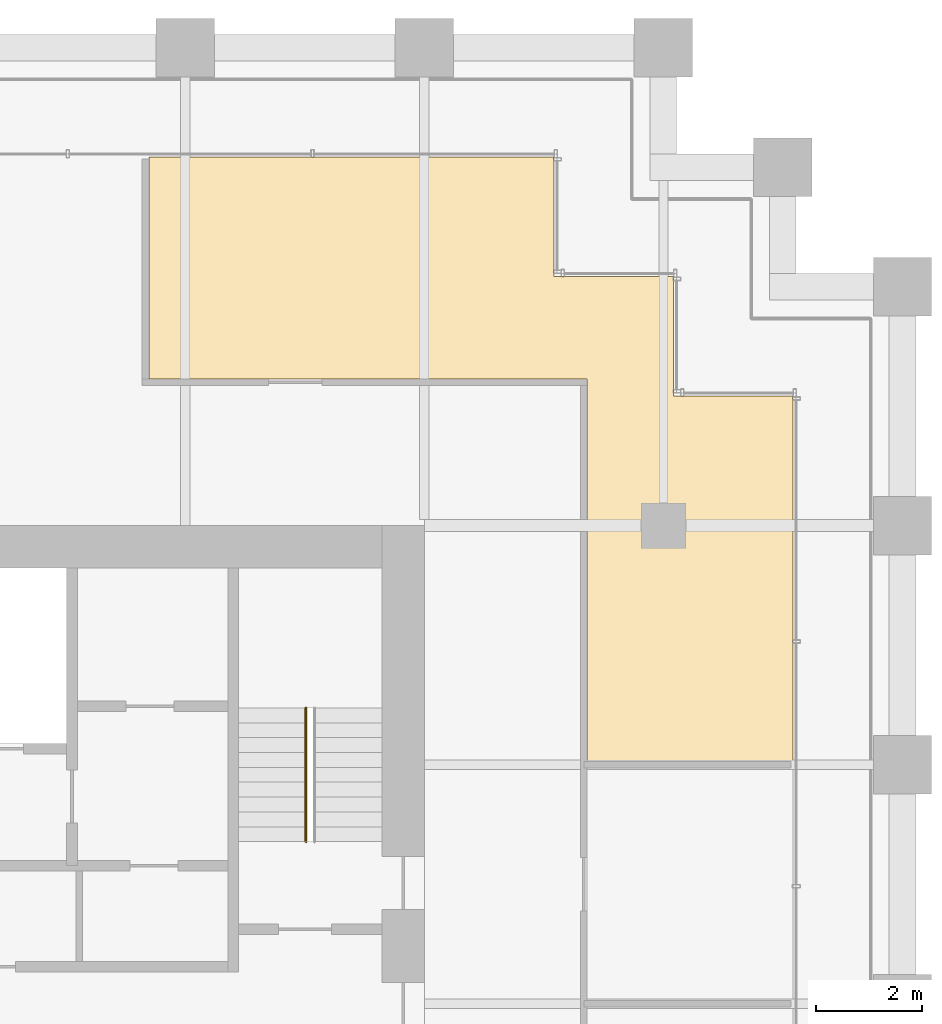
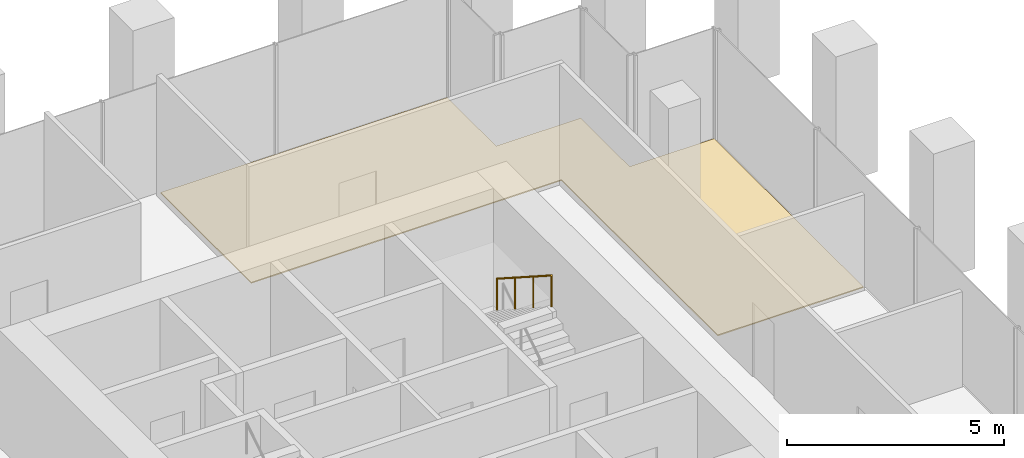
# One storey, part 56 of 56: 1 covering, 1 railing.
"""IFC4 building model written with IfcOpenShell, lengths in metres."""

import ifcopenshell
import ifcopenshell.guid

model = None  # the IFC model being written
_history = None  # IfcOwnerHistory: only IFC2X3 demands one
_inside = {}  # id of a spatial element -> (the spatial element, [elements in it])
_under = {}  # id of a project, library or spatial element -> (it, [spatial elements below it])
_declared = {}  # id of a project -> (the project, [libraries it declares])
_typed = {}  # id of a type object -> (the type object, [elements of that type])
_made_of = {}  # id of a material, layer set ... -> (it, [elements and type objects made of it])


def new_model(schema):
    """Start an empty IFC model of exactly this schema.

    Asked for "IFC4X3", IfcOpenShell would pick the latest addendum, in which some entities
    have other attributes; the version numbers below select the first issue.
    IFC2X3 requires an IfcOwnerHistory on every rooted entity: one is made here for all.
    """
    global model, _history
    if schema == "IFC4X3":
        model = ifcopenshell.file(schema_version=(4, 3, 0, 0))
    else:
        model = ifcopenshell.file(schema=schema)
    _inside.clear()
    _under.clear()
    _declared.clear()
    _typed.clear()
    _made_of.clear()
    _history = None
    if model.schema == "IFC2X3":
        org = make("IfcOrganization", Name="unknown")
        user = make(
            "IfcPersonAndOrganization",
            ThePerson=make("IfcPerson", FamilyName="unknown"),
            TheOrganization=org,
        )
        app = make(
            "IfcApplication",
            ApplicationDeveloper=org,
            Version="unknown",
            ApplicationFullName="unknown",
            ApplicationIdentifier="unknown",
        )
        _history = make(
            "IfcOwnerHistory",
            OwningUser=user,
            OwningApplication=app,
            ChangeAction="ADDED",
            CreationDate=0,
        )
    return model


def make(cls, **values):
    """One entity of the class cls with the attributes given. An attribute that is None is left unset."""
    return model.create_entity(
        cls, **{name: value for name, value in values.items() if value is not None}
    )


def rooted(cls, **values):
    """An entity with a GlobalId (a new one), such as an element, a storey or a relation."""
    return make(cls, GlobalId=ifcopenshell.guid.new(), OwnerHistory=_history, **values)


def si_unit(unit_type, name, prefix=None):
    """IfcSIUnit, for example si_unit("LENGTHUNIT", "METRE", prefix="MILLI")."""
    return make("IfcSIUnit", UnitType=unit_type, Prefix=prefix, Name=name)


def assignment(units):
    """IfcUnitAssignment: the units of a project."""
    return None if units is None else make("IfcUnitAssignment", Units=units)


def point(xyz):
    """IfcCartesianPoint."""
    return None if xyz is None else make("IfcCartesianPoint", Coordinates=xyz)


def direction(xyz):
    """IfcDirection."""
    return None if xyz is None else make("IfcDirection", DirectionRatios=xyz)


def frame(location, z_axis=None, x_axis=None):
    """IfcAxis2Placement3D, a coordinate frame: its origin and axes. An axis left out is left unset."""
    return make(
        "IfcAxis2Placement3D",
        Location=point(location),
        Axis=direction(z_axis),
        RefDirection=direction(x_axis),
    )


def frame_2d(location, x_axis=None):
    """IfcAxis2Placement2D, a coordinate frame in the plane: its origin and x axis."""
    return make(
        "IfcAxis2Placement2D", Location=point(location), RefDirection=direction(x_axis)
    )


def origin():
    """The frame at (0, 0, 0) with its axes left unset."""
    return frame((0.0, 0.0, 0.0))


def origin_2d():
    """The frame at (0, 0) in the plane with its x axis left unset."""
    return frame_2d((0.0, 0.0))


def place(relative_to, where):
    """IfcLocalPlacement: puts the frame where relative to a parent placement (None: the world)."""
    return make(
        "IfcLocalPlacement", PlacementRelTo=relative_to, RelativePlacement=where
    )


def context(
    kind, dimensions, precision=None, world=None, true_north=None, identifier=None
):
    """IfcGeometricRepresentationContext, for example the 3D "Model" context."""
    return make(
        "IfcGeometricRepresentationContext",
        ContextIdentifier=identifier,
        ContextType=kind,
        CoordinateSpaceDimension=dimensions,
        Precision=precision,
        WorldCoordinateSystem=world,
        TrueNorth=true_north,
    )


def subcontext(parent, identifier, kind, view, scale=None):
    """IfcGeometricRepresentationSubContext, for example "Body" below "Model"."""
    return make(
        "IfcGeometricRepresentationSubContext",
        ContextIdentifier=identifier,
        ContextType=kind,
        ParentContext=parent,
        TargetScale=scale,
        TargetView=view,
    )


def project(units=None, contexts=None):
    """IfcProject with its units and contexts."""
    return rooted(
        "IfcProject",
        Name="project",
        RepresentationContexts=contexts,
        UnitsInContext=assignment(units),
    )


def spatial(cls, under=None, at=None, **own):
    """A site, building, storey or space (cls), placed at a placement, below another one or the project."""
    s = rooted(cls, ObjectPlacement=at, **own)
    if under is not None:
        _under.setdefault(under.id(), (under, []))[1].append(s)
    return s


def polyline(points):
    """IfcPolyline through the points."""
    return make("IfcPolyline", Points=[point(p) for p in points])


def profile(cls, at=None, kind="AREA", **sizes):
    """A parametric profile (cls). Its sizes go by their IFC names, for example OverallWidth=200.0."""
    return make(cls, ProfileType=kind, Position=at, **sizes)


def circle(**sizes):
    """IfcCircleProfileDef."""
    return profile("IfcCircleProfileDef", **sizes)


def outline(outer, holes=None, kind="AREA"):
    """IfcArbitraryClosedProfileDef: a profile drawn as a closed curve; with holes, ...WithVoids."""
    if holes is None:
        return make("IfcArbitraryClosedProfileDef", ProfileType=kind, OuterCurve=outer)
    return make(
        "IfcArbitraryProfileDefWithVoids",
        ProfileType=kind,
        OuterCurve=outer,
        InnerCurves=holes,
    )


def extrude(swept, where, along, depth):
    """IfcExtrudedAreaSolid: the profile swept, set in the frame where, extruded along a direction by depth."""
    return make(
        "IfcExtrudedAreaSolid",
        SweptArea=swept,
        Position=where,
        ExtrudedDirection=direction(along),
        Depth=depth,
    )


def shape(context_of_items, identifier, shape_type, items):
    """IfcShapeRepresentation: the items that make up one representation, for example the "Body"."""
    return make(
        "IfcShapeRepresentation",
        ContextOfItems=context_of_items,
        RepresentationIdentifier=identifier,
        RepresentationType=shape_type,
        Items=items,
    )


def source(mapping_origin, context_of_items, identifier, shape_type, items):
    """IfcRepresentationMap: a shape defined once, which mapped items show again and again."""
    return make(
        "IfcRepresentationMap",
        MappingOrigin=mapping_origin,
        MappedRepresentation=shape(context_of_items, identifier, shape_type, items),
    )


def transform(
    local_origin,
    x_axis=None,
    y_axis=None,
    z_axis=None,
    scale=None,
    scale2=None,
    scale3=None,
    uniform=True,
):
    """IfcCartesianTransformationOperator3D, or its non-uniform kind. x_axis, y_axis, z_axis: its Axis1, 2, 3."""
    if uniform:
        return make(
            "IfcCartesianTransformationOperator3D",
            Axis1=direction(x_axis),
            Axis2=direction(y_axis),
            LocalOrigin=point(local_origin),
            Scale=scale,
            Axis3=direction(z_axis),
        )
    return make(
        "IfcCartesianTransformationOperator3DnonUniform",
        Axis1=direction(x_axis),
        Axis2=direction(y_axis),
        LocalOrigin=point(local_origin),
        Scale=scale,
        Axis3=direction(z_axis),
        Scale2=scale2,
        Scale3=scale3,
    )


def mapped(mapping_source, mapping_target):
    """IfcMappedItem: shows the shape of a source again, moved by a transform."""
    return make(
        "IfcMappedItem", MappingSource=mapping_source, MappingTarget=mapping_target
    )


def material(Name=None, Category=None):
    """IfcMaterial."""
    return make("IfcMaterial", Name=Name, Category=Category)


def layer(
    of_material, thickness, ventilated=None, Name=None, Category=None, Priority=None
):
    """IfcMaterialLayer: one layer of a wall or slab, of a material (None: an air gap)."""
    return make(
        "IfcMaterialLayer",
        Material=of_material,
        LayerThickness=thickness,
        IsVentilated=ventilated,
        Name=Name,
        Category=Category,
        Priority=Priority,
    )


def layer_set(layers, Name=None):
    """IfcMaterialLayerSet."""
    return make("IfcMaterialLayerSet", MaterialLayers=layers, LayerSetName=Name)


def made_of(thing, what):
    """Note that an element or type object is made of a material, layer set ...; save() writes the relation."""
    if what is not None:
        _made_of.setdefault(what.id(), (what, []))[1].append(thing)
    return thing


def type_object(cls, material=None, **own):
    """A type object (cls), such as IfcWallType, which elements share."""
    return made_of(rooted(cls, **own), material)


def element(
    cls,
    number,
    at=None,
    inside=None,
    cuts=None,
    type_object=None,
    material=None,
    context=None,
    identifier="Body",
    shape_type=None,
    held_by="IfcProductDefinitionShape",
    body=None,
    shapes=None,
    **own,
):
    """One element of the class cls, such as IfcWall. Its Tag is "e" and its number.

    at: its placement. inside: the storey or other place that contains it. cuts: it is an
    opening in that element (IfcRelVoidsElement). A single representation is given by context,
    identifier, shape_type and body (its items); several are given by shapes. held_by: the class
    of the entity that holds the representations. save() writes the other relations.
    """
    e = rooted(cls, Tag="e%d" % number, ObjectPlacement=at, **own)
    if body is not None:
        shapes = [shape(context, identifier, shape_type, body)]
    if shapes is not None:
        e.Representation = make(held_by, Representations=shapes)
    if inside is not None:
        _inside.setdefault(inside.id(), (inside, []))[1].append(e)
    if cuts is not None:
        rooted(
            "IfcRelVoidsElement", RelatingBuildingElement=cuts, RelatedOpeningElement=e
        )
    if type_object is not None:
        _typed.setdefault(type_object.id(), (type_object, []))[1].append(e)
    return made_of(e, material)


def aggregate(whole, parts):
    """IfcRelAggregates: a whole, such as a stair, and the parts it consists of."""
    return rooted("IfcRelAggregates", RelatingObject=whole, RelatedObjects=parts)


def save(model, path):
    """Write the relations noted so far, then the file.

    IfcRelAggregates (storeys below a building ...), IfcRelContainedInSpatialStructure (elements
    in a storey), IfcRelDefinesByType, IfcRelAssociatesMaterial and IfcRelDeclares: one each for
    every whole, place, type object, material and project.
    """
    for whole, parts in _under.values():
        aggregate(whole, parts)
    for where, things in _inside.values():
        rooted(
            "IfcRelContainedInSpatialStructure",
            RelatedElements=things,
            RelatingStructure=where,
        )
    for kind, things in _typed.values():
        rooted("IfcRelDefinesByType", RelatedObjects=things, RelatingType=kind)
    for what, things in _made_of.values():
        rooted("IfcRelAssociatesMaterial", RelatedObjects=things, RelatingMaterial=what)
    for by, libraries in _declared.values():
        rooted("IfcRelDeclares", RelatingContext=by, RelatedDefinitions=libraries)
    model.write(path)


model = new_model("IFC4")

# Units and contexts
model_context = context("Model", 3, precision=1e-05, world=origin(), true_north=direction((0.0, 1.0)))
body_context = subcontext(model_context, "Body", "Model", "MODEL_VIEW")
ifc_project = project(units=[si_unit("LENGTHUNIT", "METRE"), si_unit("AREAUNIT", "SQUARE_METRE"), si_unit("VOLUMEUNIT", "CUBIC_METRE"), si_unit("PLANEANGLEUNIT", "RADIAN"), si_unit("MASSUNIT", "GRAM", prefix="KILO")], contexts=[model_context])

# Site, building, storey
site_placement = place(None, origin())
site = spatial("IfcSite", under=ifc_project, at=site_placement, CompositionType="ELEMENT")
building_placement = place(site_placement, origin())
building = spatial("IfcBuilding", under=site, at=building_placement, Name="Altepetl Exchange Towers", CompositionType="ELEMENT")
storey_placement = place(building_placement, frame((0.0, 0.0, 83.39990234375)))
storey = spatial("IfcBuildingStorey", under=building, at=storey_placement, Name="L20", CompositionType="ELEMENT", Elevation=83.39990234375)

# Covering
ifc_material_1 = material(Name="Cantera stone", Category="masonry")
ifc_layer = layer(ifc_material_1, 0.030029296875)
ifc_layer_set = layer_set([ifc_layer], Name="Cantera stone")
covering_type = type_object("IfcCoveringType", Name="Polished stone floor", PredefinedType="FLOORING", material=ifc_layer_set)
covering_placement = place(storey_placement, origin())
element("IfcCovering", 1, at=covering_placement, inside=storey, type_object=covering_type, Name="Cafe floor finish B20.05", PredefinedType="FLOORING", context=body_context, shape_type="SweptSolid", body=[
    extrude(outline(polyline([(121.6875, 54.1875), (119.4375, 54.1875), (119.4375, 56.4375), (111.8125, 56.4375), (111.8125, 52.262451171875), (120.0625, 52.262451171875), (120.0625, 45.0625), (123.9375, 45.0625), (123.9375, 51.9375), (121.6875, 51.9375), (121.6875, 54.1875)])), origin(), (0.0, 0.0, 1.0), 0.030029296875),
])

# Railing
ifc_material_2 = material(Name="Steel", Category="steel")
railing_type = type_object("IfcRailingType", Name="Stair handrail 50 steel tube", PredefinedType="HANDRAIL", material=ifc_material_2)
shared_shape = source(origin(), body_context, "Body", "SweptSolid", [
    extrude(circle(Radius=0.02099609375, at=origin_2d()), origin(), (0.0, 0.0, 1.0), 0.851806640625),
])
railing_placement = place(storey_placement, frame((114.77001953125, 46.070068359375, 1.97998046875)))
element("IfcRailing", 2, at=railing_placement, inside=storey, type_object=railing_type, Name="Stair handrail", PredefinedType="HANDRAIL", context=body_context, shape_type="SweptSolid", body=[
    extrude(circle(Radius=0.02392578125, at=origin_2d()), frame((0.0, 0.0, 0.8759765625), z_axis=(0.0, -0.841162588446, 0.540782303519), x_axis=(1.0, 0.0, 0.0)), (0.0, 0.0, 1.0), 2.995849609375),
    mapped(shared_shape, transform((0.0, 0.0, 0.0))),
    mapped(shared_shape, transform((0.0, -0.840087890625, 0.5400390625))),
    mapped(shared_shape, transform((0.0, -1.679931640625, 1.080078125))),
    mapped(shared_shape, transform((0.0, -2.52001953125, 1.6201171875))),
])

save(model, "model.ifc")
